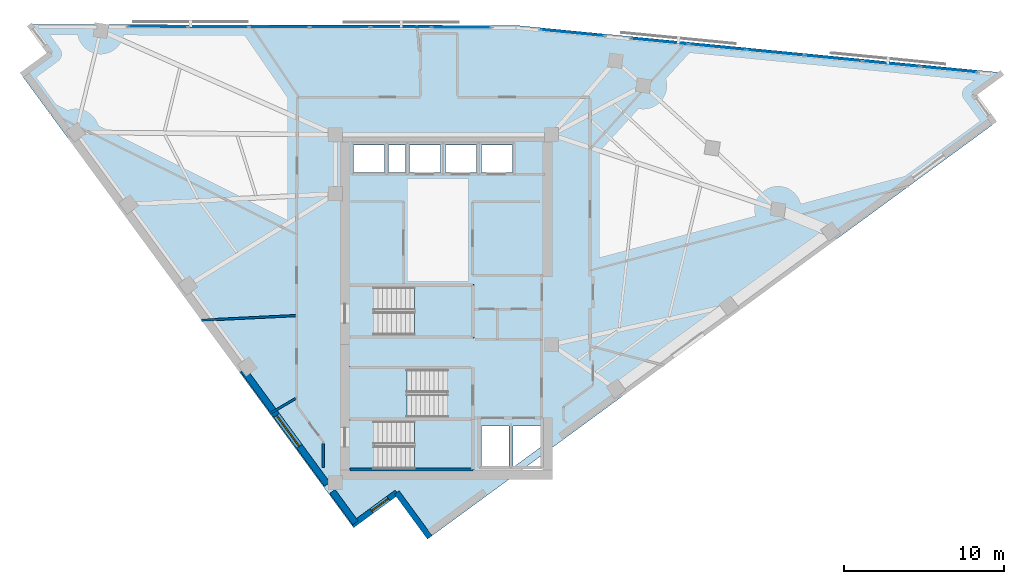
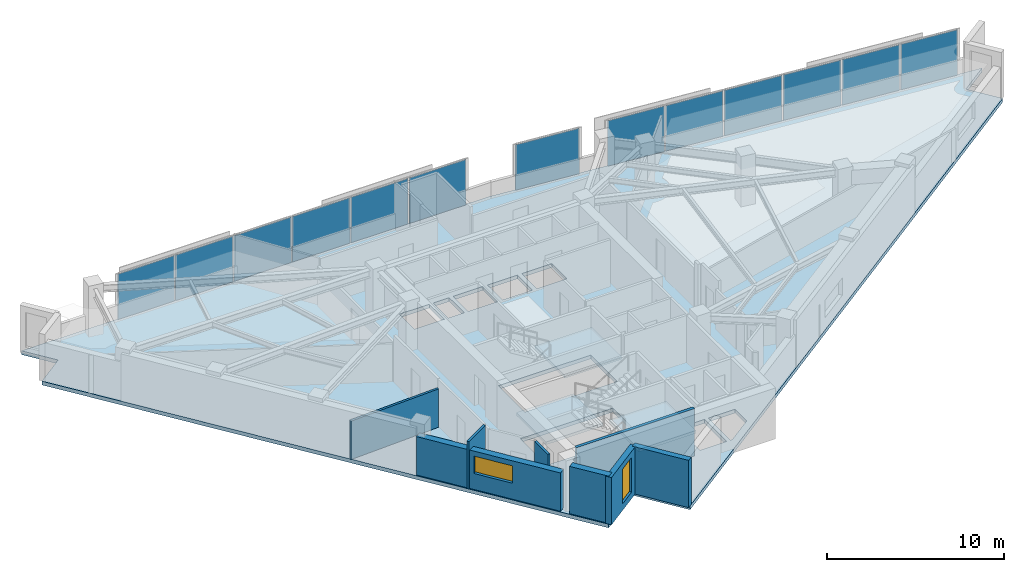
# One storey, part 7 of 13: 13 plates, 8 walls, 4 slabs, 2 windows, 2 openings, 6 elements without a shape of their own.
"""IFC4 building model written with IfcOpenShell, lengths in metres."""

import ifcopenshell
import ifcopenshell.guid

model = None  # the IFC model being written
_history = None  # IfcOwnerHistory: only IFC2X3 demands one
_inside = {}  # id of a spatial element -> (the spatial element, [elements in it])
_under = {}  # id of a project, library or spatial element -> (it, [spatial elements below it])
_declared = {}  # id of a project -> (the project, [libraries it declares])
_typed = {}  # id of a type object -> (the type object, [elements of that type])
_made_of = {}  # id of a material, layer set ... -> (it, [elements and type objects made of it])


def new_model(schema):
    """Start an empty IFC model of exactly this schema.

    Asked for "IFC4X3", IfcOpenShell would pick the latest addendum, in which some entities
    have other attributes; the version numbers below select the first issue.
    IFC2X3 requires an IfcOwnerHistory on every rooted entity: one is made here for all.
    """
    global model, _history
    if schema == "IFC4X3":
        model = ifcopenshell.file(schema_version=(4, 3, 0, 0))
    else:
        model = ifcopenshell.file(schema=schema)
    _inside.clear()
    _under.clear()
    _declared.clear()
    _typed.clear()
    _made_of.clear()
    _history = None
    if model.schema == "IFC2X3":
        org = make("IfcOrganization", Name="unknown")
        user = make(
            "IfcPersonAndOrganization",
            ThePerson=make("IfcPerson", FamilyName="unknown"),
            TheOrganization=org,
        )
        app = make(
            "IfcApplication",
            ApplicationDeveloper=org,
            Version="unknown",
            ApplicationFullName="unknown",
            ApplicationIdentifier="unknown",
        )
        _history = make(
            "IfcOwnerHistory",
            OwningUser=user,
            OwningApplication=app,
            ChangeAction="ADDED",
            CreationDate=0,
        )
    return model


def make(cls, **values):
    """One entity of the class cls with the attributes given. An attribute that is None is left unset."""
    return model.create_entity(
        cls, **{name: value for name, value in values.items() if value is not None}
    )


def rooted(cls, **values):
    """An entity with a GlobalId (a new one), such as an element, a storey or a relation."""
    return make(cls, GlobalId=ifcopenshell.guid.new(), OwnerHistory=_history, **values)


def si_unit(unit_type, name, prefix=None):
    """IfcSIUnit, for example si_unit("LENGTHUNIT", "METRE", prefix="MILLI")."""
    return make("IfcSIUnit", UnitType=unit_type, Prefix=prefix, Name=name)


def assignment(units):
    """IfcUnitAssignment: the units of a project."""
    return None if units is None else make("IfcUnitAssignment", Units=units)


def point(xyz):
    """IfcCartesianPoint."""
    return None if xyz is None else make("IfcCartesianPoint", Coordinates=xyz)


def direction(xyz):
    """IfcDirection."""
    return None if xyz is None else make("IfcDirection", DirectionRatios=xyz)


def frame(location, z_axis=None, x_axis=None):
    """IfcAxis2Placement3D, a coordinate frame: its origin and axes. An axis left out is left unset."""
    return make(
        "IfcAxis2Placement3D",
        Location=point(location),
        Axis=direction(z_axis),
        RefDirection=direction(x_axis),
    )


def frame_2d(location, x_axis=None):
    """IfcAxis2Placement2D, a coordinate frame in the plane: its origin and x axis."""
    return make(
        "IfcAxis2Placement2D", Location=point(location), RefDirection=direction(x_axis)
    )


def origin():
    """The frame at (0, 0, 0) with its axes left unset."""
    return frame((0.0, 0.0, 0.0))


def origin_2d():
    """The frame at (0, 0) in the plane with its x axis left unset."""
    return frame_2d((0.0, 0.0))


def place(relative_to, where):
    """IfcLocalPlacement: puts the frame where relative to a parent placement (None: the world)."""
    return make(
        "IfcLocalPlacement", PlacementRelTo=relative_to, RelativePlacement=where
    )


def context(
    kind, dimensions, precision=None, world=None, true_north=None, identifier=None
):
    """IfcGeometricRepresentationContext, for example the 3D "Model" context."""
    return make(
        "IfcGeometricRepresentationContext",
        ContextIdentifier=identifier,
        ContextType=kind,
        CoordinateSpaceDimension=dimensions,
        Precision=precision,
        WorldCoordinateSystem=world,
        TrueNorth=true_north,
    )


def subcontext(parent, identifier, kind, view, scale=None):
    """IfcGeometricRepresentationSubContext, for example "Body" below "Model"."""
    return make(
        "IfcGeometricRepresentationSubContext",
        ContextIdentifier=identifier,
        ContextType=kind,
        ParentContext=parent,
        TargetScale=scale,
        TargetView=view,
    )


def project(units=None, contexts=None):
    """IfcProject with its units and contexts."""
    return rooted(
        "IfcProject",
        Name="project",
        RepresentationContexts=contexts,
        UnitsInContext=assignment(units),
    )


def spatial(cls, under=None, at=None, **own):
    """A site, building, storey or space (cls), placed at a placement, below another one or the project."""
    s = rooted(cls, ObjectPlacement=at, **own)
    if under is not None:
        _under.setdefault(under.id(), (under, []))[1].append(s)
    return s


def polyline(points):
    """IfcPolyline through the points."""
    return make("IfcPolyline", Points=[point(p) for p in points])


def profile(cls, at=None, kind="AREA", **sizes):
    """A parametric profile (cls). Its sizes go by their IFC names, for example OverallWidth=200.0."""
    return make(cls, ProfileType=kind, Position=at, **sizes)


def rectangle(**sizes):
    """IfcRectangleProfileDef."""
    return profile("IfcRectangleProfileDef", **sizes)


def outline(outer, holes=None, kind="AREA"):
    """IfcArbitraryClosedProfileDef: a profile drawn as a closed curve; with holes, ...WithVoids."""
    if holes is None:
        return make("IfcArbitraryClosedProfileDef", ProfileType=kind, OuterCurve=outer)
    return make(
        "IfcArbitraryProfileDefWithVoids",
        ProfileType=kind,
        OuterCurve=outer,
        InnerCurves=holes,
    )


def extrude(swept, where, along, depth):
    """IfcExtrudedAreaSolid: the profile swept, set in the frame where, extruded along a direction by depth."""
    return make(
        "IfcExtrudedAreaSolid",
        SweptArea=swept,
        Position=where,
        ExtrudedDirection=direction(along),
        Depth=depth,
    )


def shape(context_of_items, identifier, shape_type, items):
    """IfcShapeRepresentation: the items that make up one representation, for example the "Body"."""
    return make(
        "IfcShapeRepresentation",
        ContextOfItems=context_of_items,
        RepresentationIdentifier=identifier,
        RepresentationType=shape_type,
        Items=items,
    )


def material(Name=None, Category=None):
    """IfcMaterial."""
    return make("IfcMaterial", Name=Name, Category=Category)


def layer(
    of_material, thickness, ventilated=None, Name=None, Category=None, Priority=None
):
    """IfcMaterialLayer: one layer of a wall or slab, of a material (None: an air gap)."""
    return make(
        "IfcMaterialLayer",
        Material=of_material,
        LayerThickness=thickness,
        IsVentilated=ventilated,
        Name=Name,
        Category=Category,
        Priority=Priority,
    )


def layer_set(layers, Name=None):
    """IfcMaterialLayerSet."""
    return make("IfcMaterialLayerSet", MaterialLayers=layers, LayerSetName=Name)


def made_of(thing, what):
    """Note that an element or type object is made of a material, layer set ...; save() writes the relation."""
    if what is not None:
        _made_of.setdefault(what.id(), (what, []))[1].append(thing)
    return thing


def type_object(cls, material=None, **own):
    """A type object (cls), such as IfcWallType, which elements share."""
    return made_of(rooted(cls, **own), material)


def element(
    cls,
    number,
    at=None,
    inside=None,
    cuts=None,
    type_object=None,
    material=None,
    context=None,
    identifier="Body",
    shape_type=None,
    held_by="IfcProductDefinitionShape",
    body=None,
    shapes=None,
    **own,
):
    """One element of the class cls, such as IfcWall. Its Tag is "e" and its number.

    at: its placement. inside: the storey or other place that contains it. cuts: it is an
    opening in that element (IfcRelVoidsElement). A single representation is given by context,
    identifier, shape_type and body (its items); several are given by shapes. held_by: the class
    of the entity that holds the representations. save() writes the other relations.
    """
    e = rooted(cls, Tag="e%d" % number, ObjectPlacement=at, **own)
    if body is not None:
        shapes = [shape(context, identifier, shape_type, body)]
    if shapes is not None:
        e.Representation = make(held_by, Representations=shapes)
    if inside is not None:
        _inside.setdefault(inside.id(), (inside, []))[1].append(e)
    if cuts is not None:
        rooted(
            "IfcRelVoidsElement", RelatingBuildingElement=cuts, RelatedOpeningElement=e
        )
    if type_object is not None:
        _typed.setdefault(type_object.id(), (type_object, []))[1].append(e)
    return made_of(e, material)


def fill(opening, filler):
    """IfcRelFillsElement: the door or window that sits in an opening."""
    return rooted(
        "IfcRelFillsElement",
        RelatingOpeningElement=opening,
        RelatedBuildingElement=filler,
    )


def aggregate(whole, parts):
    """IfcRelAggregates: a whole, such as a stair, and the parts it consists of."""
    return rooted("IfcRelAggregates", RelatingObject=whole, RelatedObjects=parts)


def save(model, path):
    """Write the relations noted so far, then the file.

    IfcRelAggregates (storeys below a building ...), IfcRelContainedInSpatialStructure (elements
    in a storey), IfcRelDefinesByType, IfcRelAssociatesMaterial and IfcRelDeclares: one each for
    every whole, place, type object, material and project.
    """
    for whole, parts in _under.values():
        aggregate(whole, parts)
    for where, things in _inside.values():
        rooted(
            "IfcRelContainedInSpatialStructure",
            RelatedElements=things,
            RelatingStructure=where,
        )
    for kind, things in _typed.values():
        rooted("IfcRelDefinesByType", RelatedObjects=things, RelatingType=kind)
    for what, things in _made_of.values():
        rooted("IfcRelAssociatesMaterial", RelatedObjects=things, RelatingMaterial=what)
    for by, libraries in _declared.values():
        rooted("IfcRelDeclares", RelatingContext=by, RelatedDefinitions=libraries)
    model.write(path)


model = new_model("IFC4")

# Units and contexts
model_context = context("Model", 3, precision=1e-05, world=origin(), true_north=direction((0.0, 1.0)))
body_context = subcontext(model_context, "Body", "Model", "MODEL_VIEW")
ifc_project = project(units=[si_unit("LENGTHUNIT", "METRE"), si_unit("AREAUNIT", "SQUARE_METRE"), si_unit("VOLUMEUNIT", "CUBIC_METRE"), si_unit("PLANEANGLEUNIT", "RADIAN"), si_unit("MASSUNIT", "GRAM", prefix="KILO")], contexts=[model_context])

# Site, building, storey
site_placement = place(None, origin())
site = spatial("IfcSite", under=ifc_project, at=site_placement, CompositionType="ELEMENT")
building_placement = place(site_placement, origin())
building = spatial("IfcBuilding", under=site, at=building_placement, Name="Narakoshi Arena Tower", CompositionType="ELEMENT")
storey_placement = place(building_placement, frame((0.0, 0.0, 257.219970703125)))
storey = spatial("IfcBuildingStorey", under=building, at=storey_placement, Name="L70", CompositionType="ELEMENT", Elevation=257.219970703125)

# Curtain wall, plates
ifc_material_1 = material(Name="Anodised bronze aluminium 6063-T6", Category="aluminium")
curtain_wall_type = type_object("IfcCurtainWallType", Name="CW-HYP-HIGH", PredefinedType="NOTDEFINED", material=ifc_material_1)
curtain_wall_1_placement = place(storey_placement, origin())
curtain_wall_1 = element("IfcCurtainWall", 1, at=curtain_wall_1_placement, inside=storey, type_object=curtain_wall_type, Name="L70 Folded Hypotenuse Curtain Wall 1-1", PredefinedType="NOTDEFINED")
ifc_material_2 = material(Name="Bronze-tinted low-E laminated glass", Category="glass")
ifc_layer_1 = layer(ifc_material_2, 0.0439453125)
ifc_layer_set_1 = layer_set([ifc_layer_1], Name="Bronze-tinted low-E laminated glass")
plate_type = type_object("IfcPlateType", Name="PLT-GLZ-44", PredefinedType="CURTAIN_PANEL", material=ifc_layer_set_1)
plate_1_placement = place(storey_placement, frame((110.45458984375, 60.593505859375, 0.065185546875), z_axis=(0.0, 0.0, 1.0), x_axis=(-0.995298860454, 0.096851320996, 0.0)))
plate_1 = element("IfcPlate", 2, at=plate_1_placement, type_object=plate_type, Name="CW-03 panel 1.1", PredefinedType="CURTAIN_PANEL", context=body_context, shape_type="SweptSolid", body=[
    extrude(rectangle(XDim=3.52880859375, YDim=0.0439453125, at=origin_2d()), origin(), (0.0, 0.0, 1.0), 3.1298828125),
])
plate_2_placement = place(storey_placement, frame((106.8427734375, 60.945068359375, 0.065185546875), z_axis=(0.0, 0.0, 1.0), x_axis=(-0.995298860454, 0.096851320996, 0.0)))
plate_2 = element("IfcPlate", 3, at=plate_2_placement, type_object=plate_type, Name="CW-03 panel 2.1", PredefinedType="CURTAIN_PANEL", context=body_context, shape_type="SweptSolid", body=[
    extrude(rectangle(XDim=3.568603515625, YDim=0.0439453125, at=origin_2d()), origin(), (0.0, 0.0, 1.0), 3.1298828125),
])
plate_3_placement = place(storey_placement, frame((103.211181640625, 61.29833984375, 0.065185546875), z_axis=(0.0, 0.0, 1.0), x_axis=(-0.995298860454, 0.096851320996, 0.0)))
plate_3 = element("IfcPlate", 4, at=plate_3_placement, type_object=plate_type, Name="CW-03 panel 3.1", PredefinedType="CURTAIN_PANEL", context=body_context, shape_type="SweptSolid", body=[
    extrude(rectangle(XDim=3.568603515625, YDim=0.0439453125, at=origin_2d()), origin(), (0.0, 0.0, 1.0), 3.1298828125),
])
plate_4_placement = place(storey_placement, frame((99.579833984375, 61.65185546875, 0.065185546875), z_axis=(0.0, 0.0, 1.0), x_axis=(-0.995298860454, 0.096851320996, 0.0)))
plate_4 = element("IfcPlate", 5, at=plate_4_placement, type_object=plate_type, Name="CW-03 panel 4.1", PredefinedType="CURTAIN_PANEL", context=body_context, shape_type="SweptSolid", body=[
    extrude(rectangle(XDim=3.568603515625, YDim=0.0439453125, at=origin_2d()), origin(), (0.0, 0.0, 1.0), 3.1298828125),
])
plate_5_placement = place(storey_placement, frame((95.9482421875, 62.005126953125, 0.065185546875), z_axis=(0.0, 0.0, 1.0), x_axis=(-0.995298860454, 0.096851320996, 0.0)))
plate_5 = element("IfcPlate", 6, at=plate_5_placement, type_object=plate_type, Name="CW-03 panel 5.1", PredefinedType="CURTAIN_PANEL", context=body_context, shape_type="SweptSolid", body=[
    extrude(rectangle(XDim=3.568603515625, YDim=0.0439453125, at=origin_2d()), origin(), (0.0, 0.0, 1.0), 3.1298828125),
])
plate_6_placement = place(storey_placement, frame((92.33642578125, 62.356689453125, 0.065185546875), z_axis=(0.0, 0.0, 1.0), x_axis=(-0.995298860454, 0.096851320996, 0.0)))
plate_6 = element("IfcPlate", 7, at=plate_6_placement, type_object=plate_type, Name="CW-03 panel 6.1", PredefinedType="CURTAIN_PANEL", context=body_context, shape_type="SweptSolid", body=[
    extrude(rectangle(XDim=3.52880859375, YDim=0.0439453125, at=origin_2d()), origin(), (0.0, 0.0, 1.0), 3.1298828125),
])
aggregate(curtain_wall_1, [plate_1, plate_2, plate_3, plate_4, plate_5, plate_6])

# Curtain wall, plate
curtain_wall_2_placement = place(storey_placement, origin())
curtain_wall_2 = element("IfcCurtainWall", 8, at=curtain_wall_2_placement, inside=storey, type_object=curtain_wall_type, Name="L70 Folded Hypotenuse Curtain Wall 1-2", PredefinedType="NOTDEFINED")
plate_7_placement = place(storey_placement, frame((86.862060546875, 62.889404296875, 0.065185546875), z_axis=(0.0, 0.0, 1.0), x_axis=(-0.995299683896, 0.096842858471, 0.0)))
plate_7 = element("IfcPlate", 9, at=plate_7_placement, type_object=plate_type, Name="CW-03 panel 1.1", PredefinedType="CURTAIN_PANEL", context=body_context, shape_type="SweptSolid", body=[
    extrude(rectangle(XDim=3.9560546875, YDim=0.0439453125, at=origin_2d()), origin(), (0.0, 0.0, 1.0), 3.1298828125),
])
aggregate(curtain_wall_2, [plate_7])

# Curtain wall, plates
curtain_wall_3_placement = place(storey_placement, origin())
curtain_wall_3 = element("IfcCurtainWall", 10, at=curtain_wall_3_placement, inside=storey, type_object=curtain_wall_type, Name="L70 Folded Hypotenuse Curtain Wall 2-1", PredefinedType="NOTDEFINED")
plate_8_placement = place(storey_placement, frame((79.907470703125, 63.239501953125, 0.065185546875), z_axis=(0.0, 0.0, 1.0), x_axis=(-0.999998343986, 0.001819896899, 0.0)))
plate_8 = element("IfcPlate", 11, at=plate_8_placement, type_object=plate_type, Name="CW-03 panel 1.1", PredefinedType="CURTAIN_PANEL", context=body_context, shape_type="SweptSolid", body=[
    extrude(rectangle(XDim=3.689697265625, YDim=0.0439453125, at=origin_2d()), origin(), (0.0, 0.0, 1.0), 3.1298828125),
])
plate_9_placement = place(storey_placement, frame((76.11767578125, 63.246337890625, 0.065185546875), z_axis=(0.0, 0.0, 1.0), x_axis=(-0.999998343986, 0.001819896899, 0.0)))
plate_9 = element("IfcPlate", 12, at=plate_9_placement, type_object=plate_type, Name="CW-03 panel 2.1", PredefinedType="CURTAIN_PANEL", context=body_context, shape_type="SweptSolid", body=[
    extrude(rectangle(XDim=3.729736328125, YDim=0.0439453125, at=origin_2d()), origin(), (0.0, 0.0, 1.0), 3.1298828125),
])
plate_10_placement = place(storey_placement, frame((72.307861328125, 63.25341796875, 0.065185546875), z_axis=(0.0, 0.0, 1.0), x_axis=(-0.999998343986, 0.001819896899, 0.0)))
plate_10 = element("IfcPlate", 13, at=plate_10_placement, type_object=plate_type, Name="CW-03 panel 3.1", PredefinedType="CURTAIN_PANEL", context=body_context, shape_type="SweptSolid", body=[
    extrude(rectangle(XDim=3.729736328125, YDim=0.0439453125, at=origin_2d()), origin(), (0.0, 0.0, 1.0), 3.1298828125),
])
plate_11_placement = place(storey_placement, frame((68.498291015625, 63.26025390625, 0.065185546875), z_axis=(0.0, 0.0, 1.0), x_axis=(-0.999998343986, 0.001819896899, 0.0)))
plate_11 = element("IfcPlate", 14, at=plate_11_placement, type_object=plate_type, Name="CW-03 panel 4.1", PredefinedType="CURTAIN_PANEL", context=body_context, shape_type="SweptSolid", body=[
    extrude(rectangle(XDim=3.729736328125, YDim=0.0439453125, at=origin_2d()), origin(), (0.0, 0.0, 1.0), 3.1298828125),
])
plate_12_placement = place(storey_placement, frame((64.6884765625, 63.26708984375, 0.065185546875), z_axis=(0.0, 0.0, 1.0), x_axis=(-0.999998343986, 0.001819896899, 0.0)))
plate_12 = element("IfcPlate", 15, at=plate_12_placement, type_object=plate_type, Name="CW-03 panel 5.1", PredefinedType="CURTAIN_PANEL", context=body_context, shape_type="SweptSolid", body=[
    extrude(rectangle(XDim=3.729736328125, YDim=0.0439453125, at=origin_2d()), origin(), (0.0, 0.0, 1.0), 3.1298828125),
])
plate_13_placement = place(storey_placement, frame((60.898681640625, 63.274169921875, 0.065185546875), z_axis=(0.0, 0.0, 1.0), x_axis=(-0.999998343986, 0.001819896899, 0.0)))
plate_13 = element("IfcPlate", 16, at=plate_13_placement, type_object=plate_type, Name="CW-03 panel 6.1", PredefinedType="CURTAIN_PANEL", context=body_context, shape_type="SweptSolid", body=[
    extrude(rectangle(XDim=3.689697265625, YDim=0.0439453125, at=origin_2d()), origin(), (0.0, 0.0, 1.0), 3.1298828125),
])
aggregate(curtain_wall_3, [plate_8, plate_9, plate_10, plate_11, plate_12, plate_13])

# Stair, slab
ifc_material_3 = material(Name="Concrete C45/55", Category="concrete")
stair_type = type_object("IfcStairType", Name="STR-CORE-352", PredefinedType="TWO_STRAIGHT_RUN_STAIR", material=ifc_material_3)
stair_1_placement = place(storey_placement, origin())
stair_1 = element("IfcStair", 17, at=stair_1_placement, inside=storey, type_object=stair_type, Name="L70 Core Escape Stair ST1", PredefinedType="TWO_STRAIGHT_RUN_STAIR")
ifc_layer_2 = layer(ifc_material_3, 0.18994140625)
ifc_layer_set_2 = layer_set([ifc_layer_2], Name="Concrete C45/55")
slab_type_1 = type_object("IfcSlabType", Name="SLB-LND-190", PredefinedType="LANDING", material=ifc_layer_set_2)
slab_1_placement = place(storey_placement, frame((0.0, 0.0, 1.570068359375)))
slab_1 = element("IfcSlab", 18, at=slab_1_placement, type_object=slab_type_1, Name="ST1 landing 1", PredefinedType="LANDING", context=body_context, shape_type="SweptSolid", body=[
    extrude(outline(polyline([(76.965087890625, 35.3701171875), (80.679931640625, 35.3701171875), (80.679931640625, 38.72998046875), (76.965087890625, 38.72998046875), (76.965087890625, 35.3701171875)])), origin(), (0.0, 0.0, 1.0), 0.18994140625),
])
aggregate(stair_1, [slab_1])

stair_2_placement = place(storey_placement, origin())
stair_2 = element("IfcStair", 19, at=stair_2_placement, inside=storey, type_object=stair_type, Name="L70 Core Escape Stair ST2", PredefinedType="TWO_STRAIGHT_RUN_STAIR")
slab_2_placement = place(storey_placement, frame((0.0, 0.0, 1.570068359375)))
slab_2 = element("IfcSlab", 20, at=slab_2_placement, type_object=slab_type_1, Name="ST2 landing 1", PredefinedType="LANDING", context=body_context, shape_type="SweptSolid", body=[
    extrude(outline(polyline([(72.77001953125, 38.6201171875), (76.485107421875, 38.6201171875), (76.485107421875, 41.97998046875), (72.77001953125, 41.97998046875), (72.77001953125, 38.6201171875)])), origin(), (0.0, 0.0, 1.0), 0.18994140625),
])
aggregate(stair_2, [slab_2])

stair_3_placement = place(storey_placement, origin())
stair_3 = element("IfcStair", 21, at=stair_3_placement, inside=storey, type_object=stair_type, Name="L70 Core Escape Stair ST3", PredefinedType="TWO_STRAIGHT_RUN_STAIR")
slab_3_placement = place(storey_placement, frame((0.0, 0.0, 1.570068359375)))
slab_3 = element("IfcSlab", 22, at=slab_3_placement, type_object=slab_type_1, Name="ST3 landing 1", PredefinedType="LANDING", context=body_context, shape_type="SweptSolid", body=[
    extrude(outline(polyline([(76.965087890625, 43.77001953125), (80.679931640625, 43.77001953125), (80.679931640625, 47.1298828125), (76.965087890625, 47.1298828125), (76.965087890625, 43.77001953125)])), origin(), (0.0, 0.0, 1.0), 0.18994140625),
])
aggregate(stair_3, [slab_3])

# Slab
ifc_material_4 = material(Name="Concrete C50/60", Category="concrete")
ifc_layer_3 = layer(ifc_material_4, 0.260009765625)
ifc_layer_set_3 = layer_set([ifc_layer_3], Name="Concrete C50/60")
slab_type_2 = type_object("IfcSlabType", Name="SLB-SKY-260", PredefinedType="FLOOR", material=ifc_layer_set_3)
slab_4_placement = place(storey_placement, frame((0.0, 0.0, -0.260009765625)))
element("IfcSlab", 23, at=slab_4_placement, inside=storey, type_object=slab_type_2, Name="L70 Structural Floor Slab", PredefinedType="FLOOR", context=body_context, shape_type="SweptSolid", body=[
    extrude(outline(polyline([(77.922607421875, 31.273193359375), (113.306640625, 57.218017578125), (111.96533203125, 59.047607421875), (113.794921875, 60.38916015625), (83.33251953125, 63.353271484375), (52.84521484375, 63.40869140625), (54.1865234375, 61.5791015625), (52.357177734375, 60.23779296875), (73.044189453125, 32.024169921875), (75.858642578125, 34.087890625), (77.922607421875, 31.273193359375)]), holes=[polyline([(80.5, 35.550048828125), (74.47998046875, 35.550048828125), (74.47998046875, 38.550048828125), (80.5, 38.550048828125), (80.5, 35.550048828125)]), polyline([(82.89990234375, 35.75), (81.14990234375, 35.75), (81.14990234375, 38.25), (82.89990234375, 38.25), (82.89990234375, 35.75)]), polyline([(84.89990234375, 36.947509765625), (83.266845703125, 35.75), (83.14990234375, 35.75), (83.14990234375, 38.25), (84.89990234375, 38.25), (84.89990234375, 36.947509765625)]), polyline([(72.949951171875, 38.800048828125), (72.949951171875, 41.800048828125), (78.969970703125, 41.800048828125), (78.969970703125, 38.800048828125), (72.949951171875, 38.800048828125)]), polyline([(74.47998046875, 43.949951171875), (74.47998046875, 46.949951171875), (80.5, 46.949951171875), (80.5, 43.949951171875), (74.47998046875, 43.949951171875)]), polyline([(75.10009765625, 54.14990234375), (73.14990234375, 54.14990234375), (73.14990234375, 55.85009765625), (75.10009765625, 55.85009765625), (75.10009765625, 54.14990234375)]), polyline([(76.39990234375, 54.14990234375), (75.35009765625, 54.14990234375), (75.35009765625, 55.85009765625), (76.39990234375, 55.85009765625), (76.39990234375, 54.14990234375)]), polyline([(78.60009765625, 54.14990234375), (76.64990234375, 54.14990234375), (76.64990234375, 55.85009765625), (78.60009765625, 55.85009765625), (78.60009765625, 54.14990234375)]), polyline([(78.89990234375, 54.14990234375), (78.89990234375, 55.85009765625), (80.85009765625, 55.85009765625), (80.85009765625, 54.14990234375), (78.89990234375, 54.14990234375)]), polyline([(81.14990234375, 54.14990234375), (81.14990234375, 55.85009765625), (83.10009765625, 55.85009765625), (83.10009765625, 54.14990234375), (81.14990234375, 54.14990234375)])]), origin(), (0.0, 0.0, 1.0), 0.260009765625),
])

# Wall, opening, window
ifc_material_5 = material(Name="Precast concrete C45/55", Category="concrete")
ifc_layer_4 = layer(ifc_material_5, 0.419921875)
ifc_layer_set_4 = layer_set([ifc_layer_4], Name="Precast concrete C45/55")
wall_type_1 = type_object("IfcWallType", Name="WL-POD-420", PredefinedType="SOLIDWALL", material=ifc_layer_set_4)
wall_1_placement = place(storey_placement, frame((66.232421875, 41.779296875, 0.0), z_axis=(0.0, 0.0, 1.0), x_axis=(0.591309008949, -0.806445073105, 0.0)))
wall_1 = element("IfcWall", 24, at=wall_1_placement, inside=storey, type_object=wall_type_1, Name="L70 Architectural Concrete Facade Wall LEGB-3", PredefinedType="SOLIDWALL", context=body_context, shape_type="SweptSolid", body=[
    extrude(rectangle(XDim=8.908447265625, YDim=0.419921875, at=frame_2d((4.4541015625, 0.0))), origin(), (0.0, 0.0, 1.0), 2.64501953125),
])
opening_1_placement = place(wall_1_placement, frame((3.549072265625, 0.0, 1.10009765625)))
opening_1 = element("IfcOpeningElement", 25, at=opening_1_placement, cuts=wall_1, Name="Opening WN-04", PredefinedType="OPENING", context=body_context, shape_type="SweptSolid", body=[
    extrude(rectangle(XDim=2.39990234375, YDim=1.199951171875, at=frame_2d((1.199951171875, 0.60009765625))), frame((0.0, 0.219970703125, 0.0), z_axis=(0.0, -1.0, 0.0), x_axis=(1.0, 0.0, 0.0)), (0.0, 0.0, 1.0), 0.43994140625),
])
window_type_1 = type_object("IfcWindowType", Name="WIN-SLT-24x12", PartitioningType="SINGLE_PANEL", PredefinedType="WINDOW", material=ifc_material_2)
window_1_placement = place(opening_1_placement, origin())
window_1 = element("IfcWindow", 26, at=window_1_placement, inside=storey, type_object=window_type_1, Name="L70 LEGB3 Horizontal Slot Window 1", OverallHeight=1.199951171875, OverallWidth=2.39990234375, PartitioningType="SINGLE_PANEL", PredefinedType="WINDOW", context=body_context, shape_type="SweptSolid", body=[
    extrude(rectangle(XDim=2.39990234375, YDim=1.199951171875, at=frame_2d((1.199951171875, 0.60009765625))), frame((0.0, 0.030029296875, 0.0), z_axis=(0.0, -1.0, 0.0), x_axis=(1.0, 0.0, 0.0)), (0.0, 0.0, 1.0), 0.06005859375),
])
fill(opening_1, window_1)

# Wall
wall_2_placement = place(storey_placement, frame((71.826416015625, 34.14990234375, 0.0), z_axis=(0.0, 0.0, 1.0), x_axis=(0.591315835946, -0.806440067308, 0.0)))
element("IfcWall", 27, at=wall_2_placement, inside=storey, type_object=wall_type_1, Name="L70 Architectural Concrete Facade Wall LEGB-4", PredefinedType="SOLIDWALL", context=body_context, shape_type="SweptSolid", body=[
    extrude(rectangle(XDim=2.434326171875, YDim=0.419921875, at=frame_2d((1.21728515625, 0.0))), origin(), (0.0, 0.0, 1.0), 3.260009765625),
])

# Wall, opening, window
wall_3_placement = place(storey_placement, frame((73.044189453125, 32.024169921875, 0.0), z_axis=(0.0, 0.0, 1.0), x_axis=(0.806433906667, 0.591324237774, 0.0)))
wall_3 = element("IfcWall", 28, at=wall_3_placement, inside=storey, type_object=wall_type_1, Name="L70 Re-Entrant Corner Notch Wall NTA-1", PredefinedType="SOLIDWALL", context=body_context, shape_type="SweptSolid", body=[
    extrude(rectangle(XDim=3.489990234375, YDim=0.360107421875, at=frame_2d((1.7451171875, 0.0))), origin(), (0.0, 0.0, 1.0), 3.260009765625),
])
opening_2_placement = place(wall_3_placement, frame((1.535400390625, 0.0, 0.449951171875)))
opening_2 = element("IfcOpeningElement", 29, at=opening_2_placement, cuts=wall_3, Name="Opening WN-06", PredefinedType="OPENING", context=body_context, shape_type="SweptSolid", body=[
    extrude(rectangle(XDim=1.300048828125, YDim=2.39990234375, at=frame_2d((0.64990234375, 1.199951171875))), frame((0.0, 0.18994140625, 0.0), z_axis=(0.0, -1.0, 0.0), x_axis=(1.0, 0.0, 0.0)), (0.0, 0.0, 1.0), 0.380126953125),
])
window_type_2 = type_object("IfcWindowType", Name="WIN-NTC-16x24", PartitioningType="SINGLE_PANEL", PredefinedType="WINDOW", material=ifc_material_2)
window_2_placement = place(opening_2_placement, origin())
window_2 = element("IfcWindow", 30, at=window_2_placement, inside=storey, type_object=window_type_2, Name="L70 Corner Notch Window NTA", OverallHeight=2.39990234375, OverallWidth=1.300048828125, PartitioningType="SINGLE_PANEL", PredefinedType="WINDOW", context=body_context, shape_type="SweptSolid", body=[
    extrude(rectangle(XDim=1.300048828125, YDim=2.39990234375, at=frame_2d((0.64990234375, 1.199951171875))), frame((0.0, 0.030029296875, 0.0), z_axis=(0.0, -1.0, 0.0), x_axis=(1.0, 0.0, 0.0)), (0.0, 0.0, 1.0), 0.06005859375),
])
fill(opening_2, window_2)

# Walls
wall_4_placement = place(storey_placement, frame((75.858642578125, 34.087890625, 0.0), z_axis=(0.0, 0.0, 1.0), x_axis=(0.591336371625, -0.806425009281, 0.0)))
element("IfcWall", 31, at=wall_4_placement, inside=storey, type_object=wall_type_1, Name="L70 Re-Entrant Corner Notch Wall NTA-2", PredefinedType="SOLIDWALL", context=body_context, shape_type="SweptSolid", body=[
    extrude(rectangle(XDim=3.490234375, YDim=0.360107421875, at=frame_2d((1.7451171875, 0.0))), origin(), (0.0, 0.0, 1.0), 3.260009765625),
])
ifc_layer_5 = layer(ifc_material_4, 0.35009765625)
ifc_layer_set_5 = layer_set([ifc_layer_5], Name="Concrete C50/60")
wall_type_2 = type_object("IfcWallType", Name="WL-SHAFT-350", PredefinedType="SOLIDWALL", material=ifc_layer_set_5)
wall_5_placement = place(storey_placement, frame((72.919921875, 35.52001953125, -0.260009765625), z_axis=(0.0, 0.0, 1.0), x_axis=(1.0, 0.0, 0.0)))
element("IfcWall", 32, at=wall_5_placement, inside=storey, type_object=wall_type_2, Name="L70 Core Wall ST1-S", PredefinedType="SOLIDWALL", context=body_context, shape_type="SweptSolid", body=[
    extrude(rectangle(XDim=7.7001953125, YDim=0.199951171875, at=frame_2d((3.85009765625, 0.0))), origin(), (0.0, 0.0, 1.0), 3.52001953125),
])
ifc_material_6 = material(Name="Moisture-resistant cement-board partition")
ifc_layer_6 = layer(ifc_material_6, 0.14501953125)
ifc_layer_set_6 = layer_set([ifc_layer_6], Name="Moisture-resistant cement-board partition")
wall_type_3 = type_object("IfcWallType", Name="WL-WET-145", PredefinedType="PARTITIONING", material=ifc_layer_set_6)
wall_6_placement = place(storey_placement, frame((69.528076171875, 39.980712890625, 0.0), z_axis=(0.0, 0.0, 1.0), x_axis=(-0.862157936866, -0.506639607512, 0.0)))
element("IfcWall", 33, at=wall_6_placement, inside=storey, type_object=wall_type_3, Name="L70 Inter-Room Partition 01-02", PredefinedType="PARTITIONING", context=body_context, shape_type="SweptSolid", body=[
    extrude(rectangle(XDim=1.87890625, YDim=0.14501953125, at=frame_2d((0.939453125, 0.0))), origin(), (0.0, 0.0, 1.0), 3.260009765625),
])
wall_7_placement = place(storey_placement, frame((63.616455078125, 44.8818359375, 0.0), z_axis=(0.0, 0.0, 1.0), x_axis=(0.99881716391, 0.048623791277, 0.0)))
element("IfcWall", 34, at=wall_7_placement, inside=storey, type_object=wall_type_3, Name="L70 Inter-Room Partition 01-09", PredefinedType="PARTITIONING", context=body_context, shape_type="SweptSolid", body=[
    extrude(rectangle(XDim=5.894775390625, YDim=0.14501953125, at=frame_2d((2.947265625, 0.0))), origin(), (0.0, 0.0, 1.0), 2.64501953125),
])
wall_8_placement = place(storey_placement, frame((71.25, 37.159912109375, 0.0), z_axis=(0.0, 0.0, 1.0), x_axis=(0.0, -1.0, 0.0)))
element("IfcWall", 35, at=wall_8_placement, inside=storey, type_object=wall_type_3, Name="L70 Room Enclosure Partition 02-1", PredefinedType="PARTITIONING", context=body_context, shape_type="SweptSolid", body=[
    extrude(rectangle(XDim=1.49658203125, YDim=0.14501953125, at=frame_2d((0.748291015625, 0.0))), origin(), (0.0, 0.0, 1.0), 3.260009765625),
])

save(model, "model.ifc")
